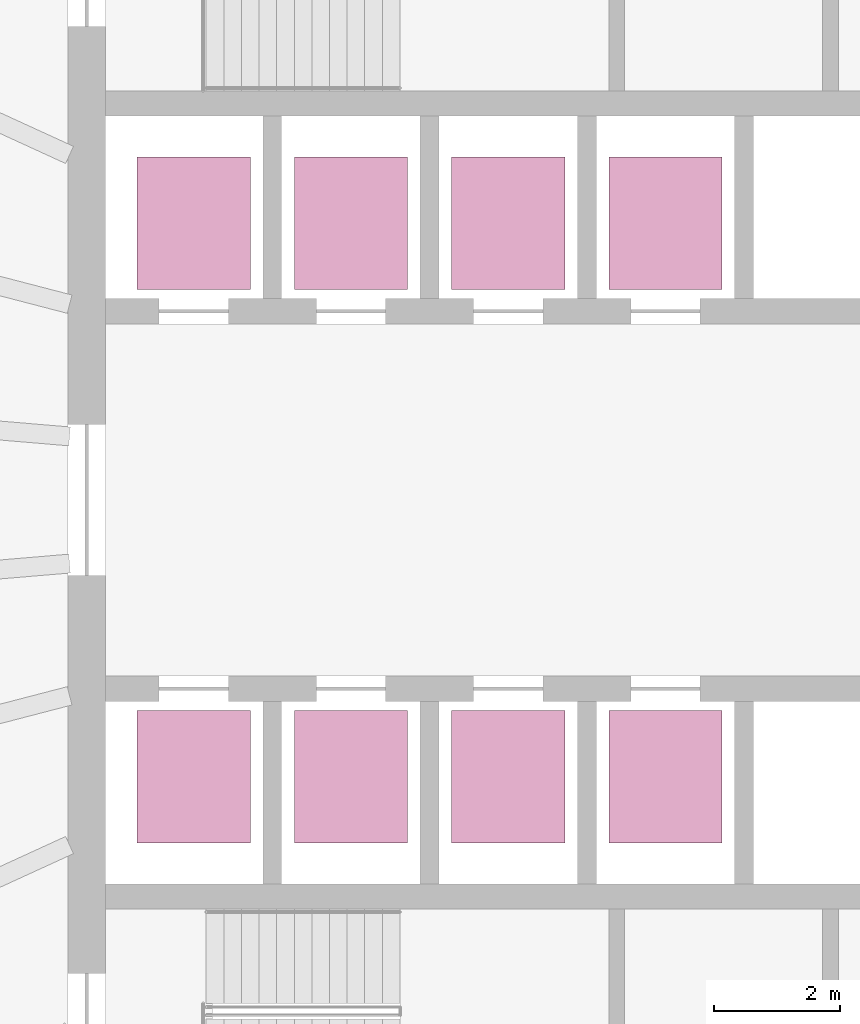
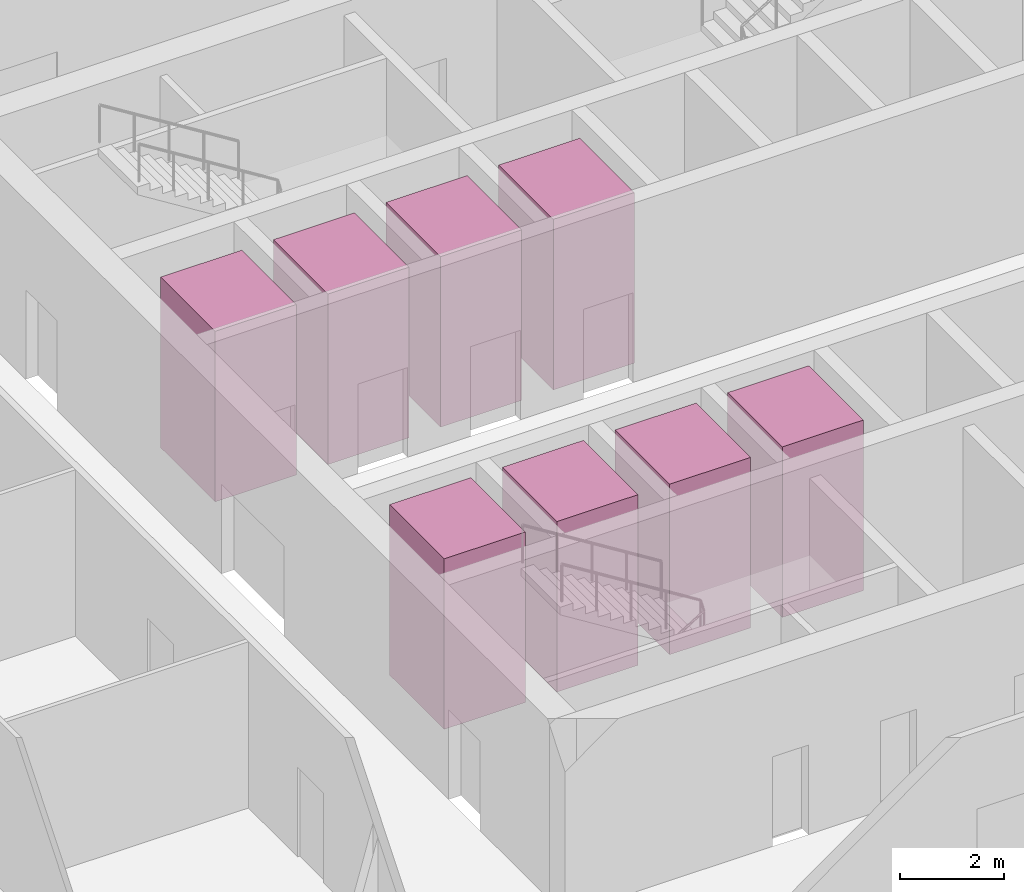
# One storey, part 10 of 10: 8 transport elements.
"""IFC4 building model written with IfcOpenShell, lengths in metres."""

from ifc_helpers import new_model, si_unit, direction, frame, origin, origin_2d, place, context, subcontext, project, spatial, rectangle, extrude, material, type_object, element, save


model = new_model("IFC4")

# Units and contexts
model_context = context("Model", 3, precision=1e-05, world=origin(), true_north=direction((0.0, 1.0)))
body_context = subcontext(model_context, "Body", "Model", "MODEL_VIEW")
ifc_project = project(units=[si_unit("LENGTHUNIT", "METRE"), si_unit("AREAUNIT", "SQUARE_METRE"), si_unit("VOLUMEUNIT", "CUBIC_METRE"), si_unit("PLANEANGLEUNIT", "RADIAN"), si_unit("MASSUNIT", "GRAM", prefix="KILO")], contexts=[model_context])

# Site, building, storey
site_placement = place(None, origin())
site = spatial("IfcSite", under=ifc_project, at=site_placement, CompositionType="ELEMENT")
building_placement = place(site_placement, origin())
building = spatial("IfcBuilding", under=site, at=building_placement, Name="Halqa Exchange Tower", CompositionType="ELEMENT")
storey_placement = place(building_placement, frame((0.0, 0.0, 104.5)))
storey = spatial("IfcBuildingStorey", under=building, at=storey_placement, Name="L23", CompositionType="ELEMENT", Elevation=104.5)

# Transport elements
ifc_material = material(Name="Stainless steel", Category="steel")
transport_element_type = type_object("IfcTransportElementType", Name="Low-rise passenger lift 1800 x 2100", PredefinedType="ELEVATOR", material=ifc_material)
for number, where, z_axis, x_axis, name in (
    (1, (-10.0, 4.39990234375, 0.0), (0.0, 0.0, 1.0), (1.0, 0.0, 0.0), "Low-rise passenger lift LR1"),
    (2, (-7.5, 4.39990234375, 0.0), (0.0, 0.0, 1.0), (1.0, 0.0, 0.0), "Low-rise passenger lift LR2"),
    (3, (-5.0, 4.39990234375, 0.0), (0.0, 0.0, 1.0), (1.0, 0.0, 0.0), "Low-rise passenger lift LR3"),
    (4, (-2.5, 4.39990234375, 0.0), (0.0, 0.0, 1.0), (1.0, 0.0, 0.0), "Low-rise passenger lift LR4"),
    (5, (-10.0, -4.39990234375, 0.0), (0.0, 0.0, 1.0), (1.0, 0.0, 0.0), "Low-rise passenger lift LR5"),
    (6, (-7.5, -4.39990234375, 0.0), (0.0, 0.0, 1.0), (1.0, 0.0, 0.0), "Low-rise passenger lift LR6"),
    (7, (-5.0, -4.39990234375, 0.0), (0.0, 0.0, 1.0), (1.0, 0.0, 0.0), "Low-rise passenger lift LR7"),
    (8, (-2.5, -4.39990234375, 0.0), (0.0, 0.0, 1.0), (1.0, 0.0, 0.0), "Low-rise passenger lift LR8"),
):
    element("IfcTransportElement", number, at=place(storey_placement, frame(where, z_axis=z_axis, x_axis=x_axis)), inside=storey, type_object=transport_element_type, Name=name, PredefinedType="ELEVATOR", context=body_context, shape_type="SweptSolid", body=[
        extrude(rectangle(XDim=1.800048828125, YDim=2.10009765625, at=origin_2d()), origin(), (0.0, 0.0, 1.0), 4.0),
    ])

save(model, "model.ifc")
